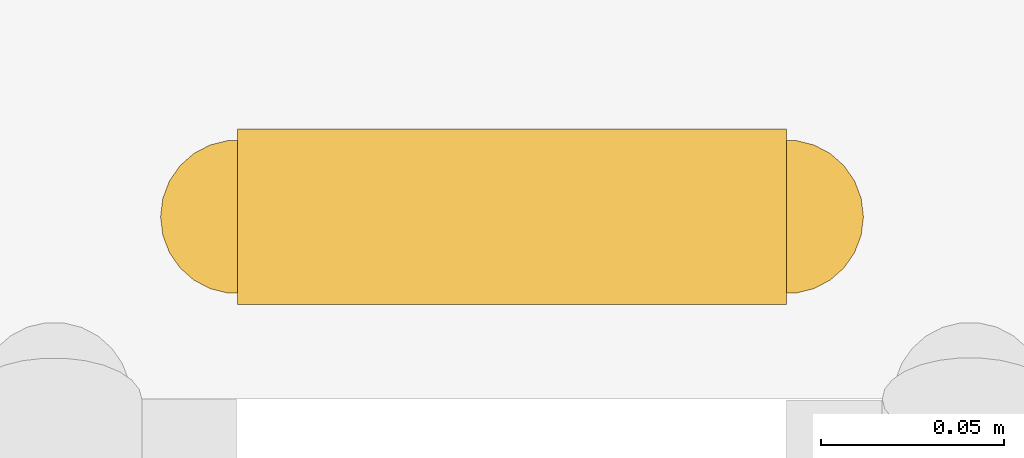
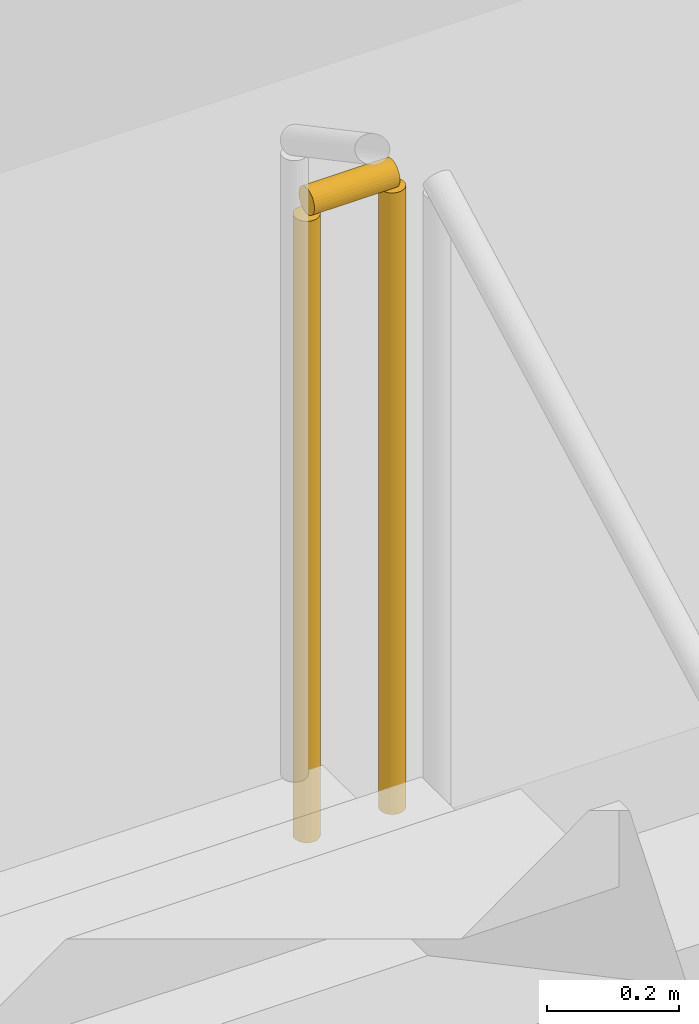
# One storey, part 57 of 59: 1 railing.
"""IFC4 building model written with IfcOpenShell, lengths in metres."""

from ifc_helpers import new_model, si_unit, direction, frame, origin, origin_2d, place, context, subcontext, project, spatial, circle, extrude, material, type_object, element, save


model = new_model("IFC4")

# Units and contexts
model_context = context("Model", 3, precision=1e-05, world=origin(), true_north=direction((0.0, 1.0)))
body_context = subcontext(model_context, "Body", "Model", "MODEL_VIEW")
ifc_project = project(units=[si_unit("LENGTHUNIT", "METRE"), si_unit("AREAUNIT", "SQUARE_METRE"), si_unit("VOLUMEUNIT", "CUBIC_METRE"), si_unit("PLANEANGLEUNIT", "RADIAN"), si_unit("MASSUNIT", "GRAM", prefix="KILO")], contexts=[model_context])

# Site, building, storey
site_placement = place(None, origin())
site = spatial("IfcSite", under=ifc_project, at=site_placement, CompositionType="ELEMENT")
building_placement = place(site_placement, origin())
building = spatial("IfcBuilding", under=site, at=building_placement, Name="Valkovuoma Quantum and Materials Research Institute", CompositionType="ELEMENT")
storey_placement = place(building_placement, origin())
storey = spatial("IfcBuildingStorey", under=building, at=storey_placement, Name="L00", CompositionType="ELEMENT", Elevation=0.0)

# Railing
ifc_material = material(Name="Painted steel stair balustrade", Category="steel")
railing_type = type_object("IfcRailingType", Name="Rail-GRD-ST", PredefinedType="BALUSTRADE", material=ifc_material)
railing_placement = place(storey_placement, frame((163.25, 64.14990234375, 2.39990234375)))
element("IfcRailing", 1, at=railing_placement, inside=storey, type_object=railing_type, Name="L00 ST-3 stair guard 2", PredefinedType="BALUSTRADE", context=body_context, shape_type="SweptSolid", body=[
    extrude(circle(Radius=0.02392578125, at=origin_2d()), frame((0.0, 0.0, 1.17578125), z_axis=(-1.0, 0.0, 0.0), x_axis=(0.0, -1.0, 0.0)), (0.0, 0.0, 1.0), 0.14990234375),
    extrude(circle(Radius=0.02099609375, at=origin_2d()), origin(), (0.0, 0.0, 1.0), 1.15185546875),
    extrude(circle(Radius=0.02099609375, at=origin_2d()), frame((-0.14990234375, 0.0, 0.0)), (0.0, 0.0, 1.0), 1.15185546875),
])

save(model, "model.ifc")
